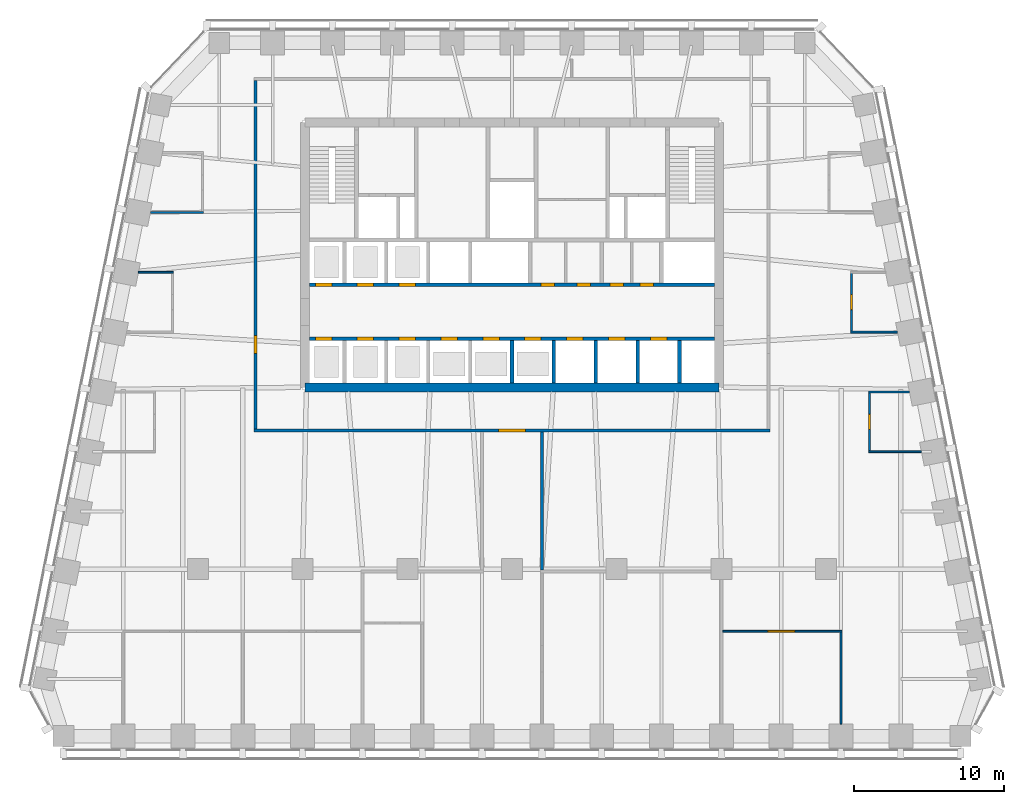
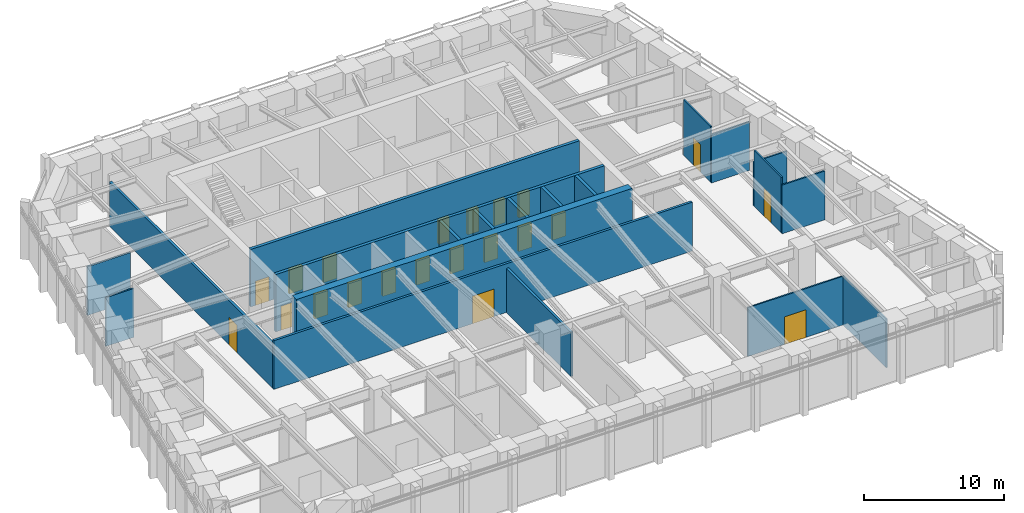
# One storey, part 6 of 11: 21 doors, 20 walls, 21 openings.
"""IFC4 building model written with IfcOpenShell, lengths in metres."""

from ifc_helpers import new_model, si_unit, direction, frame, frame_2d, origin, place, context, subcontext, project, spatial, rectangle, extrude, material, layer, layer_set, type_object, element, fill, save


model = new_model("IFC4")

# Units and contexts
model_context = context("Model", 3, precision=1e-05, world=origin(), true_north=direction((0.0, 1.0)))
body_context = subcontext(model_context, "Body", "Model", "MODEL_VIEW")
ifc_project = project(units=[si_unit("LENGTHUNIT", "METRE"), si_unit("AREAUNIT", "SQUARE_METRE"), si_unit("VOLUMEUNIT", "CUBIC_METRE"), si_unit("PLANEANGLEUNIT", "RADIAN"), si_unit("MASSUNIT", "GRAM", prefix="KILO")], contexts=[model_context])

# Site, building, storey
site_placement = place(None, origin())
site = spatial("IfcSite", under=ifc_project, at=site_placement, CompositionType="ELEMENT")
building_placement = place(site_placement, origin())
building = spatial("IfcBuilding", under=site, at=building_placement, Name="Isbrekke Arena Tower", CompositionType="ELEMENT")
storey_placement = place(building_placement, frame((0.0, 0.0, 173.0)))
storey = spatial("IfcBuildingStorey", under=building, at=storey_placement, Name="L39", CompositionType="ELEMENT", Elevation=173.0)

# Wall
ifc_material_1 = material(Name="Concrete B55 (C55/67)", Category="concrete")
ifc_layer_1 = layer(ifc_material_1, 0.60009765625)
ifc_layer_set_1 = layer_set([ifc_layer_1], Name="CW4 CORE WALL 600")
wall_type_1 = type_object("IfcWallType", Name="CW4 CORE WALL 600", PredefinedType="SHEAR", material=ifc_layer_set_1)
wall_1_placement = place(storey_placement, frame((-13.85009765625, 6.14990234375, 0.0), z_axis=(0.0, 0.0, 1.0), x_axis=(1.0, 0.0, 0.0)))
element("IfcWall", 1, at=wall_1_placement, inside=storey, type_object=wall_type_1, Name="Core wall S L39", PredefinedType="SHEAR", context=body_context, shape_type="SweptSolid", body=[
    extrude(rectangle(XDim=27.7001953125, YDim=0.60009765625, at=frame_2d((13.85009765625, 0.0))), origin(), (0.0, 0.0, 1.0), 5.0),
])

# Wall, openings, doors
ifc_material_2 = material(Name="Concrete B45 (C45/55)", Category="concrete")
ifc_layer_2 = layer(ifc_material_2, 0.25)
ifc_layer_set_2 = layer_set([ifc_layer_2], Name="CW6 SHAFT WALL 250")
wall_type_2 = type_object("IfcWallType", Name="CW6 SHAFT WALL 250", PredefinedType="SHEAR", material=ifc_layer_set_2)
wall_2_placement = place(storey_placement, frame((-13.550048828125, 9.39990234375, 0.0), z_axis=(0.0, 0.0, 1.0), x_axis=(1.0, 0.0, 0.0)))
wall_2 = element("IfcWall", 2, at=wall_2_placement, inside=storey, type_object=wall_type_2, Name="Core wall LS L39", PredefinedType="SHEAR", context=body_context, shape_type="SweptSolid", body=[
    extrude(rectangle(XDim=27.10009765625, YDim=0.25, at=frame_2d((13.550048828125, 0.0))), origin(), (0.0, 0.0, 1.0), 5.0),
])
opening_1_placement = place(wall_2_placement, frame((0.39990234375, 0.0, 0.0)))
opening_1 = element("IfcOpeningElement", 3, at=opening_1_placement, cuts=wall_2, Name="Opening LD1", PredefinedType="OPENING", context=body_context, shape_type="SweptSolid", body=[
    extrude(rectangle(XDim=1.10009765625, YDim=2.10009765625, at=frame_2d((0.550048828125, 1.050048828125))), frame((0.0, 0.139892578125, 0.0), z_axis=(0.0, -1.0, 0.0), x_axis=(1.0, 0.0, 0.0)), (0.0, 0.0, 1.0), 0.27978515625),
])
opening_2_placement = place(wall_2_placement, frame((3.199951171875, 0.0, 0.0)))
opening_2 = element("IfcOpeningElement", 4, at=opening_2_placement, cuts=wall_2, Name="Opening LD1", PredefinedType="OPENING", context=body_context, shape_type="SweptSolid", body=[
    extrude(rectangle(XDim=1.10009765625, YDim=2.10009765625, at=frame_2d((0.550048828125, 1.050048828125))), frame((0.0, 0.139892578125, 0.0), z_axis=(0.0, -1.0, 0.0), x_axis=(1.0, 0.0, 0.0)), (0.0, 0.0, 1.0), 0.27978515625),
])
opening_3_placement = place(wall_2_placement, frame((6.0, 0.0, 0.0)))
opening_3 = element("IfcOpeningElement", 5, at=opening_3_placement, cuts=wall_2, Name="Opening LD1", PredefinedType="OPENING", context=body_context, shape_type="SweptSolid", body=[
    extrude(rectangle(XDim=1.10009765625, YDim=2.10009765625, at=frame_2d((0.550048828125, 1.050048828125))), frame((0.0, 0.139892578125, 0.0), z_axis=(0.0, -1.0, 0.0), x_axis=(1.0, 0.0, 0.0)), (0.0, 0.0, 1.0), 0.27978515625),
])
opening_4_placement = place(wall_2_placement, frame((17.199951171875, 0.0, 0.0)))
opening_4 = element("IfcOpeningElement", 6, at=opening_4_placement, cuts=wall_2, Name="Opening LD1", PredefinedType="OPENING", context=body_context, shape_type="SweptSolid", body=[
    extrude(rectangle(XDim=1.10009765625, YDim=2.10009765625, at=frame_2d((0.550048828125, 1.050048828125))), frame((0.0, 0.139892578125, 0.0), z_axis=(0.0, -1.0, 0.0), x_axis=(1.0, 0.0, 0.0)), (0.0, 0.0, 1.0), 0.27978515625),
])
opening_5_placement = place(wall_2_placement, frame((20.0, 0.0, 0.0)))
opening_5 = element("IfcOpeningElement", 7, at=opening_5_placement, cuts=wall_2, Name="Opening LD1", PredefinedType="OPENING", context=body_context, shape_type="SweptSolid", body=[
    extrude(rectangle(XDim=1.10009765625, YDim=2.10009765625, at=frame_2d((0.550048828125, 1.050048828125))), frame((0.0, 0.139892578125, 0.0), z_axis=(0.0, -1.0, 0.0), x_axis=(1.0, 0.0, 0.0)), (0.0, 0.0, 1.0), 0.27978515625),
])
opening_6_placement = place(wall_2_placement, frame((22.800048828125, 0.0, 0.0)))
opening_6 = element("IfcOpeningElement", 8, at=opening_6_placement, cuts=wall_2, Name="Opening LD1", PredefinedType="OPENING", context=body_context, shape_type="SweptSolid", body=[
    extrude(rectangle(XDim=1.10009765625, YDim=2.10009765625, at=frame_2d((0.550048828125, 1.050048828125))), frame((0.0, 0.139892578125, 0.0), z_axis=(0.0, -1.0, 0.0), x_axis=(1.0, 0.0, 0.0)), (0.0, 0.0, 1.0), 0.27978515625),
])
opening_7_placement = place(wall_2_placement, frame((8.800048828125, 0.0, 0.0)))
opening_7 = element("IfcOpeningElement", 9, at=opening_7_placement, cuts=wall_2, Name="Opening LD1", PredefinedType="OPENING", context=body_context, shape_type="SweptSolid", body=[
    extrude(rectangle(XDim=1.10009765625, YDim=2.10009765625, at=frame_2d((0.550048828125, 1.050048828125))), frame((0.0, 0.139892578125, 0.0), z_axis=(0.0, -1.0, 0.0), x_axis=(1.0, 0.0, 0.0)), (0.0, 0.0, 1.0), 0.27978515625),
])
opening_8_placement = place(wall_2_placement, frame((11.60009765625, 0.0, 0.0)))
opening_8 = element("IfcOpeningElement", 10, at=opening_8_placement, cuts=wall_2, Name="Opening LD1", PredefinedType="OPENING", context=body_context, shape_type="SweptSolid", body=[
    extrude(rectangle(XDim=1.10009765625, YDim=2.10009765625, at=frame_2d((0.550048828125, 1.050048828125))), frame((0.0, 0.139892578125, 0.0), z_axis=(0.0, -1.0, 0.0), x_axis=(1.0, 0.0, 0.0)), (0.0, 0.0, 1.0), 0.27978515625),
])
opening_9_placement = place(wall_2_placement, frame((14.39990234375, 0.0, 0.0)))
opening_9 = element("IfcOpeningElement", 11, at=opening_9_placement, cuts=wall_2, Name="Opening LD1", PredefinedType="OPENING", context=body_context, shape_type="SweptSolid", body=[
    extrude(rectangle(XDim=1.10009765625, YDim=2.10009765625, at=frame_2d((0.550048828125, 1.050048828125))), frame((0.0, 0.139892578125, 0.0), z_axis=(0.0, -1.0, 0.0), x_axis=(1.0, 0.0, 0.0)), (0.0, 0.0, 1.0), 0.27978515625),
])
ifc_material_3 = material(Name="Stainless steel lift landing door", Category="steel")
door_type_1 = type_object("IfcDoorType", Name="LD1 LIFT LANDING DOOR 1100 x 2100", OperationType="SLIDING_TO_LEFT", PredefinedType="DOOR", material=ifc_material_3)
door_1_placement = place(opening_1_placement, origin())
door_1 = element("IfcDoor", 12, at=door_1_placement, inside=storey, type_object=door_type_1, Name="LD1 lift landing door LC L39", OperationType="SLIDING_TO_LEFT", OverallHeight=2.10009765625, OverallWidth=1.10009765625, PredefinedType="DOOR", context=body_context, shape_type="SweptSolid", body=[
    extrude(rectangle(XDim=1.10009765625, YDim=2.10009765625, at=frame_2d((0.550048828125, 1.050048828125))), frame((0.0, 0.124755859375, 0.0), z_axis=(0.0, -1.0, 0.0), x_axis=(1.0, 0.0, 0.0)), (0.0, 0.0, 1.0), 0.24951171875),
])
fill(opening_1, door_1)
door_2_placement = place(opening_2_placement, origin())
door_2 = element("IfcDoor", 13, at=door_2_placement, inside=storey, type_object=door_type_1, Name="LD1 lift landing door LC L39", OperationType="SLIDING_TO_LEFT", OverallHeight=2.10009765625, OverallWidth=1.10009765625, PredefinedType="DOOR", context=body_context, shape_type="SweptSolid", body=[
    extrude(rectangle(XDim=1.10009765625, YDim=2.10009765625, at=frame_2d((0.550048828125, 1.050048828125))), frame((0.0, 0.124755859375, 0.0), z_axis=(0.0, -1.0, 0.0), x_axis=(1.0, 0.0, 0.0)), (0.0, 0.0, 1.0), 0.24951171875),
])
fill(opening_2, door_2)
door_3_placement = place(opening_3_placement, origin())
door_3 = element("IfcDoor", 14, at=door_3_placement, inside=storey, type_object=door_type_1, Name="LD1 lift landing door LC L39", OperationType="SLIDING_TO_LEFT", OverallHeight=2.10009765625, OverallWidth=1.10009765625, PredefinedType="DOOR", context=body_context, shape_type="SweptSolid", body=[
    extrude(rectangle(XDim=1.10009765625, YDim=2.10009765625, at=frame_2d((0.550048828125, 1.050048828125))), frame((0.0, 0.124755859375, 0.0), z_axis=(0.0, -1.0, 0.0), x_axis=(1.0, 0.0, 0.0)), (0.0, 0.0, 1.0), 0.24951171875),
])
fill(opening_3, door_3)
door_4_placement = place(opening_4_placement, origin())
door_4 = element("IfcDoor", 15, at=door_4_placement, inside=storey, type_object=door_type_1, Name="LD1 lift landing door LT L39", OperationType="SLIDING_TO_LEFT", OverallHeight=2.10009765625, OverallWidth=1.10009765625, PredefinedType="DOOR", context=body_context, shape_type="SweptSolid", body=[
    extrude(rectangle(XDim=1.10009765625, YDim=2.10009765625, at=frame_2d((0.550048828125, 1.050048828125))), frame((0.0, 0.124755859375, 0.0), z_axis=(0.0, -1.0, 0.0), x_axis=(1.0, 0.0, 0.0)), (0.0, 0.0, 1.0), 0.24951171875),
])
fill(opening_4, door_4)
door_5_placement = place(opening_5_placement, origin())
door_5 = element("IfcDoor", 16, at=door_5_placement, inside=storey, type_object=door_type_1, Name="LD1 lift landing door LT L39", OperationType="SLIDING_TO_LEFT", OverallHeight=2.10009765625, OverallWidth=1.10009765625, PredefinedType="DOOR", context=body_context, shape_type="SweptSolid", body=[
    extrude(rectangle(XDim=1.10009765625, YDim=2.10009765625, at=frame_2d((0.550048828125, 1.050048828125))), frame((0.0, 0.124755859375, 0.0), z_axis=(0.0, -1.0, 0.0), x_axis=(1.0, 0.0, 0.0)), (0.0, 0.0, 1.0), 0.24951171875),
])
fill(opening_5, door_5)
door_6_placement = place(opening_6_placement, origin())
door_6 = element("IfcDoor", 17, at=door_6_placement, inside=storey, type_object=door_type_1, Name="LD1 lift landing door LT L39", OperationType="SLIDING_TO_LEFT", OverallHeight=2.10009765625, OverallWidth=1.10009765625, PredefinedType="DOOR", context=body_context, shape_type="SweptSolid", body=[
    extrude(rectangle(XDim=1.10009765625, YDim=2.10009765625, at=frame_2d((0.550048828125, 1.050048828125))), frame((0.0, 0.124755859375, 0.0), z_axis=(0.0, -1.0, 0.0), x_axis=(1.0, 0.0, 0.0)), (0.0, 0.0, 1.0), 0.24951171875),
])
fill(opening_6, door_6)
door_7_placement = place(opening_7_placement, origin())
door_7 = element("IfcDoor", 18, at=door_7_placement, inside=storey, type_object=door_type_1, Name="LD1 lift landing door LE L39", OperationType="SLIDING_TO_LEFT", OverallHeight=2.10009765625, OverallWidth=1.10009765625, PredefinedType="DOOR", context=body_context, shape_type="SweptSolid", body=[
    extrude(rectangle(XDim=1.10009765625, YDim=2.10009765625, at=frame_2d((0.550048828125, 1.050048828125))), frame((0.0, 0.124755859375, 0.0), z_axis=(0.0, -1.0, 0.0), x_axis=(1.0, 0.0, 0.0)), (0.0, 0.0, 1.0), 0.24951171875),
])
fill(opening_7, door_7)
door_8_placement = place(opening_8_placement, origin())
door_8 = element("IfcDoor", 19, at=door_8_placement, inside=storey, type_object=door_type_1, Name="LD1 lift landing door LE L39", OperationType="SLIDING_TO_LEFT", OverallHeight=2.10009765625, OverallWidth=1.10009765625, PredefinedType="DOOR", context=body_context, shape_type="SweptSolid", body=[
    extrude(rectangle(XDim=1.10009765625, YDim=2.10009765625, at=frame_2d((0.550048828125, 1.050048828125))), frame((0.0, 0.124755859375, 0.0), z_axis=(0.0, -1.0, 0.0), x_axis=(1.0, 0.0, 0.0)), (0.0, 0.0, 1.0), 0.24951171875),
])
fill(opening_8, door_8)
door_9_placement = place(opening_9_placement, origin())
door_9 = element("IfcDoor", 20, at=door_9_placement, inside=storey, type_object=door_type_1, Name="LD1 lift landing door LE L39", OperationType="SLIDING_TO_LEFT", OverallHeight=2.10009765625, OverallWidth=1.10009765625, PredefinedType="DOOR", context=body_context, shape_type="SweptSolid", body=[
    extrude(rectangle(XDim=1.10009765625, YDim=2.10009765625, at=frame_2d((0.550048828125, 1.050048828125))), frame((0.0, 0.124755859375, 0.0), z_axis=(0.0, -1.0, 0.0), x_axis=(1.0, 0.0, 0.0)), (0.0, 0.0, 1.0), 0.24951171875),
])
fill(opening_9, door_9)

wall_3_placement = place(storey_placement, frame((-13.550048828125, 13.0, 0.0), z_axis=(0.0, 0.0, 1.0), x_axis=(1.0, 0.0, 0.0)))
wall_3 = element("IfcWall", 21, at=wall_3_placement, inside=storey, type_object=wall_type_2, Name="Core wall LN L39", PredefinedType="SHEAR", context=body_context, shape_type="SweptSolid", body=[
    extrude(rectangle(XDim=27.10009765625, YDim=0.25, at=frame_2d((13.550048828125, 0.0))), origin(), (0.0, 0.0, 1.0), 5.0),
])
opening_10_placement = place(wall_3_placement, frame((0.39990234375, 0.0, 0.0)))
opening_10 = element("IfcOpeningElement", 22, at=opening_10_placement, cuts=wall_3, Name="Opening LD1", PredefinedType="OPENING", context=body_context, shape_type="SweptSolid", body=[
    extrude(rectangle(XDim=1.10009765625, YDim=2.10009765625, at=frame_2d((0.550048828125, 1.050048828125))), frame((0.0, 0.139892578125, 0.0), z_axis=(0.0, -1.0, 0.0), x_axis=(1.0, 0.0, 0.0)), (0.0, 0.0, 1.0), 0.27978515625),
])
opening_11_placement = place(wall_3_placement, frame((3.199951171875, 0.0, 0.0)))
opening_11 = element("IfcOpeningElement", 23, at=opening_11_placement, cuts=wall_3, Name="Opening LD1", PredefinedType="OPENING", context=body_context, shape_type="SweptSolid", body=[
    extrude(rectangle(XDim=1.10009765625, YDim=2.10009765625, at=frame_2d((0.550048828125, 1.050048828125))), frame((0.0, 0.139892578125, 0.0), z_axis=(0.0, -1.0, 0.0), x_axis=(1.0, 0.0, 0.0)), (0.0, 0.0, 1.0), 0.27978515625),
])
opening_12_placement = place(wall_3_placement, frame((6.0, 0.0, 0.0)))
opening_12 = element("IfcOpeningElement", 24, at=opening_12_placement, cuts=wall_3, Name="Opening LD1", PredefinedType="OPENING", context=body_context, shape_type="SweptSolid", body=[
    extrude(rectangle(XDim=1.10009765625, YDim=2.10009765625, at=frame_2d((0.550048828125, 1.050048828125))), frame((0.0, 0.139892578125, 0.0), z_axis=(0.0, -1.0, 0.0), x_axis=(1.0, 0.0, 0.0)), (0.0, 0.0, 1.0), 0.27978515625),
])
opening_13_placement = place(wall_3_placement, frame((15.5, 0.0, 0.0)))
opening_13 = element("IfcOpeningElement", 25, at=opening_13_placement, cuts=wall_3, Name="Opening D5", PredefinedType="OPENING", context=body_context, shape_type="SweptSolid", body=[
    extrude(rectangle(XDim=0.89990234375, YDim=2.10009765625, at=frame_2d((0.449951171875, 1.050048828125))), frame((0.0, 0.139892578125, 0.0), z_axis=(0.0, -1.0, 0.0), x_axis=(1.0, 0.0, 0.0)), (0.0, 0.0, 1.0), 0.27978515625),
])
opening_14_placement = place(wall_3_placement, frame((17.89990234375, 0.0, 0.0)))
opening_14 = element("IfcOpeningElement", 26, at=opening_14_placement, cuts=wall_3, Name="Opening D5", PredefinedType="OPENING", context=body_context, shape_type="SweptSolid", body=[
    extrude(rectangle(XDim=0.89990234375, YDim=2.10009765625, at=frame_2d((0.449951171875, 1.050048828125))), frame((0.0, 0.139892578125, 0.0), z_axis=(0.0, -1.0, 0.0), x_axis=(1.0, 0.0, 0.0)), (0.0, 0.0, 1.0), 0.27978515625),
])
opening_15_placement = place(wall_3_placement, frame((20.10009765625, 0.0, 0.0)))
opening_15 = element("IfcOpeningElement", 27, at=opening_15_placement, cuts=wall_3, Name="Opening D5", PredefinedType="OPENING", context=body_context, shape_type="SweptSolid", body=[
    extrude(rectangle(XDim=0.89990234375, YDim=2.10009765625, at=frame_2d((0.449951171875, 1.050048828125))), frame((0.0, 0.139892578125, 0.0), z_axis=(0.0, -1.0, 0.0), x_axis=(1.0, 0.0, 0.0)), (0.0, 0.0, 1.0), 0.27978515625),
])
opening_16_placement = place(wall_3_placement, frame((22.10009765625, 0.0, 0.0)))
opening_16 = element("IfcOpeningElement", 28, at=opening_16_placement, cuts=wall_3, Name="Opening D5", PredefinedType="OPENING", context=body_context, shape_type="SweptSolid", body=[
    extrude(rectangle(XDim=0.89990234375, YDim=2.10009765625, at=frame_2d((0.449951171875, 1.050048828125))), frame((0.0, 0.139892578125, 0.0), z_axis=(0.0, -1.0, 0.0), x_axis=(1.0, 0.0, 0.0)), (0.0, 0.0, 1.0), 0.27978515625),
])
ifc_material_4 = material(Name="Steel fire door", Category="steel")
door_type_2 = type_object("IfcDoorType", Name="D5 SERVICE DOOR 900 x 2100", OperationType="SINGLE_SWING_LEFT", PredefinedType="DOOR", material=ifc_material_4)
door_10_placement = place(opening_13_placement, origin())
door_10 = element("IfcDoor", 29, at=door_10_placement, inside=storey, type_object=door_type_2, Name="D5 mothers' room door L39", OperationType="SINGLE_SWING_LEFT", OverallHeight=2.10009765625, OverallWidth=0.89990234375, PredefinedType="DOOR", context=body_context, shape_type="SweptSolid", body=[
    extrude(rectangle(XDim=0.89990234375, YDim=2.10009765625, at=frame_2d((0.449951171875, 1.050048828125))), frame((0.0, 0.124755859375, 0.0), z_axis=(0.0, -1.0, 0.0), x_axis=(1.0, 0.0, 0.0)), (0.0, 0.0, 1.0), 0.24951171875),
])
fill(opening_13, door_10)
door_11_placement = place(opening_14_placement, origin())
door_11 = element("IfcDoor", 30, at=door_11_placement, inside=storey, type_object=door_type_2, Name="D5 cleaner's store door L39", OperationType="SINGLE_SWING_LEFT", OverallHeight=2.10009765625, OverallWidth=0.89990234375, PredefinedType="DOOR", context=body_context, shape_type="SweptSolid", body=[
    extrude(rectangle(XDim=0.89990234375, YDim=2.10009765625, at=frame_2d((0.449951171875, 1.050048828125))), frame((0.0, 0.124755859375, 0.0), z_axis=(0.0, -1.0, 0.0), x_axis=(1.0, 0.0, 0.0)), (0.0, 0.0, 1.0), 0.24951171875),
])
fill(opening_14, door_11)
door_12_placement = place(opening_15_placement, origin())
door_12 = element("IfcDoor", 31, at=door_12_placement, inside=storey, type_object=door_type_2, Name="D5 communications room door L39", OperationType="SINGLE_SWING_LEFT", OverallHeight=2.10009765625, OverallWidth=0.89990234375, PredefinedType="DOOR", context=body_context, shape_type="SweptSolid", body=[
    extrude(rectangle(XDim=0.89990234375, YDim=2.10009765625, at=frame_2d((0.449951171875, 1.050048828125))), frame((0.0, 0.124755859375, 0.0), z_axis=(0.0, -1.0, 0.0), x_axis=(1.0, 0.0, 0.0)), (0.0, 0.0, 1.0), 0.24951171875),
])
fill(opening_15, door_12)
door_13_placement = place(opening_16_placement, origin())
door_13 = element("IfcDoor", 32, at=door_13_placement, inside=storey, type_object=door_type_2, Name="D5 tenant store door L39", OperationType="SINGLE_SWING_LEFT", OverallHeight=2.10009765625, OverallWidth=0.89990234375, PredefinedType="DOOR", context=body_context, shape_type="SweptSolid", body=[
    extrude(rectangle(XDim=0.89990234375, YDim=2.10009765625, at=frame_2d((0.449951171875, 1.050048828125))), frame((0.0, 0.124755859375, 0.0), z_axis=(0.0, -1.0, 0.0), x_axis=(1.0, 0.0, 0.0)), (0.0, 0.0, 1.0), 0.24951171875),
])
fill(opening_16, door_13)
door_14_placement = place(opening_10_placement, origin())
door_14 = element("IfcDoor", 33, at=door_14_placement, inside=storey, type_object=door_type_1, Name="LD1 lift landing door LC L39", OperationType="SLIDING_TO_LEFT", OverallHeight=2.10009765625, OverallWidth=1.10009765625, PredefinedType="DOOR", context=body_context, shape_type="SweptSolid", body=[
    extrude(rectangle(XDim=1.10009765625, YDim=2.10009765625, at=frame_2d((0.550048828125, 1.050048828125))), frame((0.0, 0.124755859375, 0.0), z_axis=(0.0, -1.0, 0.0), x_axis=(1.0, 0.0, 0.0)), (0.0, 0.0, 1.0), 0.24951171875),
])
fill(opening_10, door_14)
door_15_placement = place(opening_11_placement, origin())
door_15 = element("IfcDoor", 34, at=door_15_placement, inside=storey, type_object=door_type_1, Name="LD1 lift landing door LC L39", OperationType="SLIDING_TO_LEFT", OverallHeight=2.10009765625, OverallWidth=1.10009765625, PredefinedType="DOOR", context=body_context, shape_type="SweptSolid", body=[
    extrude(rectangle(XDim=1.10009765625, YDim=2.10009765625, at=frame_2d((0.550048828125, 1.050048828125))), frame((0.0, 0.124755859375, 0.0), z_axis=(0.0, -1.0, 0.0), x_axis=(1.0, 0.0, 0.0)), (0.0, 0.0, 1.0), 0.24951171875),
])
fill(opening_11, door_15)
door_16_placement = place(opening_12_placement, origin())
door_16 = element("IfcDoor", 35, at=door_16_placement, inside=storey, type_object=door_type_1, Name="LD1 lift landing door LC L39", OperationType="SLIDING_TO_LEFT", OverallHeight=2.10009765625, OverallWidth=1.10009765625, PredefinedType="DOOR", context=body_context, shape_type="SweptSolid", body=[
    extrude(rectangle(XDim=1.10009765625, YDim=2.10009765625, at=frame_2d((0.550048828125, 1.050048828125))), frame((0.0, 0.124755859375, 0.0), z_axis=(0.0, -1.0, 0.0), x_axis=(1.0, 0.0, 0.0)), (0.0, 0.0, 1.0), 0.24951171875),
])
fill(opening_12, door_16)

# Walls
for number, where, z_axis, x_axis, name in (
    (36, (0.0, 6.449951171875, 0.0), (0.0, 0.0, 1.0), (0.0, 1.0, 0.0), "Core wall SS05 L39"),
    (37, (2.800048828125, 6.449951171875, 0.0), (0.0, 0.0, 1.0), (0.0, 1.0, 0.0), "Core wall SS06 L39"),
    (38, (5.60009765625, 6.449951171875, 0.0), (0.0, 0.0, 1.0), (0.0, 1.0, 0.0), "Core wall SS07 L39"),
    (39, (8.39990234375, 6.449951171875, 0.0), (0.0, 0.0, 1.0), (0.0, 1.0, 0.0), "Core wall SS08 L39"),
    (40, (11.199951171875, 6.449951171875, 0.0), (0.0, 0.0, 1.0), (0.0, 1.0, 0.0), "Core wall SS09 L39"),
):
    element("IfcWall", number, at=place(storey_placement, frame(where, z_axis=z_axis, x_axis=x_axis)), inside=storey, type_object=wall_type_2, Name=name, PredefinedType="SHEAR", context=body_context, shape_type="SweptSolid", body=[
        extrude(rectangle(XDim=2.824951171875, YDim=0.25, at=frame_2d((1.41259765625, 0.0))), origin(), (0.0, 0.0, 1.0), 5.0),
    ])
ifc_material_5 = material(Name="Gypsum board partition on steel studs", Category="steel")
ifc_layer_3 = layer(ifc_material_5, 0.14990234375)
ifc_layer_set_3 = layer_set([ifc_layer_3], Name="IW1 PARTITION 150")
wall_type_3 = type_object("IfcWallType", Name="IW1 PARTITION 150", PredefinedType="PARTITIONING", material=ifc_layer_set_3)
wall_4_placement = place(storey_placement, frame((-24.1748046875, 17.840087890625, 0.0), z_axis=(0.0, 0.0, 1.0), x_axis=(1.0, 0.0, 0.0)))
element("IfcWall", 41, at=wall_4_placement, inside=storey, type_object=wall_type_3, Name="IW1 partition 150 L39", PredefinedType="PARTITIONING", context=body_context, shape_type="SweptSolid", body=[
    extrude(rectangle(XDim=3.5498046875, YDim=0.14990234375, at=frame_2d((1.77490234375, 0.0))), origin(), (0.0, 0.0, 1.0), 4.25),
])

# Wall, opening, door
ifc_material_6 = material(Name="Frameless glazed partition, laminated acoustic glass", Category="glass")
ifc_layer_4 = layer(ifc_material_6, 0.1201171875)
ifc_layer_set_4 = layer_set([ifc_layer_4], Name="IW2 GLAZED PARTITION 120")
wall_type_4 = type_object("IfcWallType", Name="IW2 GLAZED PARTITION 120", PredefinedType="PARTITIONING", material=ifc_layer_set_4)
wall_5_placement = place(storey_placement, frame((14.10009765625, -10.159912109375, 0.0), z_axis=(0.0, 0.0, 1.0), x_axis=(1.0, 0.0, 0.0)))
wall_5 = element("IfcWall", 42, at=wall_5_placement, inside=storey, type_object=wall_type_4, Name="IW2 glazed partition 120 L39", PredefinedType="PARTITIONING", context=body_context, shape_type="SweptSolid", body=[
    extrude(rectangle(XDim=7.9599609375, YDim=0.1201171875, at=frame_2d((3.97998046875, 0.0))), origin(), (0.0, 0.0, 1.0), 4.25),
])
opening_17_placement = place(wall_5_placement, frame((3.0, 0.0, 0.0)))
opening_17 = element("IfcOpeningElement", 43, at=opening_17_placement, cuts=wall_5, Name="Opening D13", PredefinedType="OPENING", context=body_context, shape_type="SweptSolid", body=[
    extrude(rectangle(XDim=1.800048828125, YDim=2.39990234375, at=frame_2d((0.89990234375, 1.199951171875))), frame((0.0, 0.074951171875, 0.0), z_axis=(0.0, -1.0, 0.0), x_axis=(1.0, 0.0, 0.0)), (0.0, 0.0, 1.0), 0.14990234375),
])
ifc_material_7 = material(Name="Timber door pair", Category="wood")
door_type_3 = type_object("IfcDoorType", Name="D13 DOUBLE ROOM DOOR 1800 x 2400", OperationType="DOUBLE_DOOR_SINGLE_SWING", PredefinedType="DOOR", material=ifc_material_7)
door_17_placement = place(opening_17_placement, origin())
door_17 = element("IfcDoor", 44, at=door_17_placement, inside=storey, type_object=door_type_3, Name="D13 meeting room door L39", OperationType="DOUBLE_DOOR_SINGLE_SWING", OverallHeight=2.39990234375, OverallWidth=1.800048828125, PredefinedType="DOOR", context=body_context, shape_type="SweptSolid", body=[
    extrude(rectangle(XDim=1.800048828125, YDim=2.39990234375, at=frame_2d((0.89990234375, 1.199951171875))), frame((0.0, 0.059814453125, 0.0), z_axis=(0.0, -1.0, 0.0), x_axis=(1.0, 0.0, 0.0)), (0.0, 0.0, 1.0), 0.11962890625),
])
fill(opening_17, door_17)

# Walls
wall_6_placement = place(storey_placement, frame((23.840087890625, 1.840087890625, 0.0), z_axis=(0.0, 0.0, 1.0), x_axis=(1.0, 0.0, 0.0)))
element("IfcWall", 45, at=wall_6_placement, inside=storey, type_object=wall_type_4, Name="IW2 glazed partition 120 L39", PredefinedType="PARTITIONING", context=body_context, shape_type="SweptSolid", body=[
    extrude(rectangle(XDim=3.53466796875, YDim=0.1201171875, at=frame_2d((1.767333984375, 0.0))), origin(), (0.0, 0.0, 1.0), 4.25),
])
wall_7_placement = place(storey_placement, frame((23.840087890625, 5.840087890625, 0.0), z_axis=(0.0, 0.0, 1.0), x_axis=(1.0, 0.0, 0.0)))
element("IfcWall", 46, at=wall_7_placement, inside=storey, type_object=wall_type_4, Name="IW2 glazed partition 120 L39", PredefinedType="PARTITIONING", context=body_context, shape_type="SweptSolid", body=[
    extrude(rectangle(XDim=2.734619140625, YDim=0.1201171875, at=frame_2d((1.3671875, 0.0))), origin(), (0.0, 0.0, 1.0), 3.842041015625),
])
wall_8_placement = place(storey_placement, frame((22.639892578125, 9.840087890625, 0.0), z_axis=(0.0, 0.0, 1.0), x_axis=(1.0, 0.0, 0.0)))
element("IfcWall", 47, at=wall_8_placement, inside=storey, type_object=wall_type_4, Name="IW2 glazed partition 120 L39", PredefinedType="PARTITIONING", context=body_context, shape_type="SweptSolid", body=[
    extrude(rectangle(XDim=3.135009765625, YDim=0.1201171875, at=frame_2d((1.5673828125, 0.0))), origin(), (0.0, 0.0, 1.0), 4.25),
])
wall_9_placement = place(storey_placement, frame((-24.974853515625, 13.840087890625, 0.0), z_axis=(0.0, 0.0, 1.0), x_axis=(1.0, 0.0, 0.0)))
element("IfcWall", 48, at=wall_9_placement, inside=storey, type_object=wall_type_4, Name="IW2 glazed partition 120 L39", PredefinedType="PARTITIONING", context=body_context, shape_type="SweptSolid", body=[
    extrude(rectangle(XDim=2.3349609375, YDim=0.1201171875, at=frame_2d((1.16748046875, 0.0))), origin(), (0.0, 0.0, 1.0), 4.25),
])
wall_10_placement = place(storey_placement, frame((22.0, -16.375, 0.0), z_axis=(0.0, 0.0, 1.0), x_axis=(0.0, 1.0, 0.0)))
element("IfcWall", 49, at=wall_10_placement, inside=storey, type_object=wall_type_4, Name="IW2 glazed partition 120 L39", PredefinedType="PARTITIONING", context=body_context, shape_type="SweptSolid", body=[
    extrude(rectangle(XDim=6.155029296875, YDim=0.1201171875, at=frame_2d((3.07763671875, 0.0))), origin(), (0.0, 0.0, 1.0), 4.25),
])

# Wall, opening, door
wall_11_placement = place(storey_placement, frame((22.699951171875, 9.89990234375, 0.0), z_axis=(0.0, 0.0, 1.0), x_axis=(0.0, 1.0, 0.0)))
wall_11 = element("IfcWall", 50, at=wall_11_placement, inside=storey, type_object=wall_type_4, Name="IW2 glazed partition 120 L39", PredefinedType="PARTITIONING", context=body_context, shape_type="SweptSolid", body=[
    extrude(rectangle(XDim=3.880126953125, YDim=0.1201171875, at=frame_2d((1.93994140625, 0.0))), origin(), (0.0, 0.0, 1.0), 4.85009765625),
])
opening_18_placement = place(wall_11_placement, frame((1.43994140625, 0.0, 0.0)))
opening_18 = element("IfcOpeningElement", 51, at=opening_18_placement, cuts=wall_11, Name="Opening D11", PredefinedType="OPENING", context=body_context, shape_type="SweptSolid", body=[
    extrude(rectangle(XDim=1.0, YDim=2.39990234375, at=frame_2d((0.5, 1.199951171875))), frame((0.0, 0.074951171875, 0.0), z_axis=(0.0, -1.0, 0.0), x_axis=(1.0, 0.0, 0.0)), (0.0, 0.0, 1.0), 0.14990234375),
])
ifc_material_8 = material(Name="Frameless glazed door", Category="glass")
door_type_4 = type_object("IfcDoorType", Name="D11 GLAZED MEETING ROOM DOOR 1000 x 2400", OperationType="SINGLE_SWING_RIGHT", PredefinedType="DOOR", material=ifc_material_8)
door_18_placement = place(opening_18_placement, origin())
door_18 = element("IfcDoor", 52, at=door_18_placement, inside=storey, type_object=door_type_4, Name="D11 quiet room door L39", OperationType="SINGLE_SWING_RIGHT", OverallHeight=2.39990234375, OverallWidth=1.0, PredefinedType="DOOR", context=body_context, shape_type="SweptSolid", body=[
    extrude(rectangle(XDim=1.0, YDim=2.39990234375, at=frame_2d((0.5, 1.199951171875))), frame((0.0, 0.059814453125, 0.0), z_axis=(0.0, -1.0, 0.0), x_axis=(1.0, 0.0, 0.0)), (0.0, 0.0, 1.0), 0.11962890625),
])
fill(opening_18, door_18)

wall_12_placement = place(storey_placement, frame((23.89990234375, 1.89990234375, 0.0), z_axis=(0.0, 0.0, 1.0), x_axis=(0.0, 1.0, 0.0)))
wall_12 = element("IfcWall", 53, at=wall_12_placement, inside=storey, type_object=wall_type_4, Name="IW2 glazed partition 120 L39", PredefinedType="PARTITIONING", context=body_context, shape_type="SweptSolid", body=[
    extrude(rectangle(XDim=3.880126953125, YDim=0.1201171875, at=frame_2d((1.93994140625, 0.0))), origin(), (0.0, 0.0, 1.0), 4.85009765625),
])
opening_19_placement = place(wall_12_placement, frame((1.43994140625, 0.0, 0.0)))
opening_19 = element("IfcOpeningElement", 54, at=opening_19_placement, cuts=wall_12, Name="Opening D11", PredefinedType="OPENING", context=body_context, shape_type="SweptSolid", body=[
    extrude(rectangle(XDim=1.0, YDim=2.39990234375, at=frame_2d((0.5, 1.199951171875))), frame((0.0, 0.074951171875, 0.0), z_axis=(0.0, -1.0, 0.0), x_axis=(1.0, 0.0, 0.0)), (0.0, 0.0, 1.0), 0.14990234375),
])
door_19_placement = place(opening_19_placement, origin())
door_19 = element("IfcDoor", 55, at=door_19_placement, inside=storey, type_object=door_type_4, Name="D11 quiet room door L39", OperationType="SINGLE_SWING_RIGHT", OverallHeight=2.39990234375, OverallWidth=1.0, PredefinedType="DOOR", context=body_context, shape_type="SweptSolid", body=[
    extrude(rectangle(XDim=1.0, YDim=2.39990234375, at=frame_2d((0.5, 1.199951171875))), frame((0.0, 0.059814453125, 0.0), z_axis=(0.0, -1.0, 0.0), x_axis=(1.0, 0.0, 0.0)), (0.0, 0.0, 1.0), 0.11962890625),
])
fill(opening_19, door_19)

ifc_material_9 = material(Name="Gypsum board fire-cell wall on steel studs, two layers each side", Category="steel")
ifc_layer_5 = layer(ifc_material_9, 0.199951171875)
ifc_layer_set_5 = layer_set([ifc_layer_5], Name="IW3 FIRE-CELL WALL 200")
wall_type_5 = type_object("IfcWallType", Name="IW3 FIRE-CELL WALL 200", PredefinedType="PARTITIONING", material=ifc_layer_set_5)
wall_13_placement = place(storey_placement, frame((-17.25, 3.25, 0.0), z_axis=(0.0, 0.0, 1.0), x_axis=(1.0, 0.0, 0.0)))
wall_13 = element("IfcWall", 56, at=wall_13_placement, inside=storey, type_object=wall_type_5, Name="IW3 fire-cell wall 200 L39", PredefinedType="PARTITIONING", context=body_context, shape_type="SweptSolid", body=[
    extrude(rectangle(XDim=34.5, YDim=0.199951171875, at=frame_2d((17.25, 0.0))), origin(), (0.0, 0.0, 1.0), 4.25),
])
opening_20_placement = place(wall_13_placement, frame((16.35009765625, 0.0, 0.0)))
opening_20 = element("IfcOpeningElement", 57, at=opening_20_placement, cuts=wall_13, Name="Opening D14", PredefinedType="OPENING", context=body_context, shape_type="SweptSolid", body=[
    extrude(rectangle(XDim=1.800048828125, YDim=2.39990234375, at=frame_2d((0.89990234375, 1.199951171875))), frame((0.0, 0.11474609375, 0.0), z_axis=(0.0, -1.0, 0.0), x_axis=(1.0, 0.0, 0.0)), (0.0, 0.0, 1.0), 0.229736328125),
])
ifc_material_10 = material(Name="Timber fire door pair with vision panels", Category="wood")
door_type_5 = type_object("IfcDoorType", Name="D14 DOUBLE SUITE ENTRANCE DOOR 1800 x 2400", OperationType="DOUBLE_DOOR_SINGLE_SWING", PredefinedType="DOOR", material=ifc_material_10)
door_20_placement = place(opening_20_placement, origin())
door_20 = element("IfcDoor", 58, at=door_20_placement, inside=storey, type_object=door_type_5, Name="D14 suite entrance K door L39", OperationType="DOUBLE_DOOR_SINGLE_SWING", OverallHeight=2.39990234375, OverallWidth=1.800048828125, PredefinedType="DOOR", context=body_context, shape_type="SweptSolid", body=[
    extrude(rectangle(XDim=1.800048828125, YDim=2.39990234375, at=frame_2d((0.89990234375, 1.199951171875))), frame((0.0, 0.099609375, 0.0), z_axis=(0.0, -1.0, 0.0), x_axis=(1.0, 0.0, 0.0)), (0.0, 0.0, 1.0), 0.199462890625),
])
fill(opening_20, door_20)

wall_14_placement = place(storey_placement, frame((-17.14990234375, 3.35009765625, 0.0), z_axis=(0.0, 0.0, 1.0), x_axis=(0.0, 1.0, 0.0)))
wall_14 = element("IfcWall", 59, at=wall_14_placement, inside=storey, type_object=wall_type_5, Name="IW3 fire-cell wall 200 L39", PredefinedType="PARTITIONING", context=body_context, shape_type="SweptSolid", body=[
    extrude(rectangle(XDim=23.2998046875, YDim=0.199951171875, at=frame_2d((11.64990234375, 0.0))), origin(), (0.0, 0.0, 1.0), 3.842041015625),
])
opening_21_placement = place(wall_14_placement, frame((5.050048828125, 0.0, 0.0)))
opening_21 = element("IfcOpeningElement", 60, at=opening_21_placement, cuts=wall_14, Name="Opening D12", PredefinedType="OPENING", context=body_context, shape_type="SweptSolid", body=[
    extrude(rectangle(XDim=1.199951171875, YDim=2.39990234375, at=frame_2d((0.60009765625, 1.199951171875))), frame((0.0, 0.11474609375, 0.0), z_axis=(0.0, -1.0, 0.0), x_axis=(1.0, 0.0, 0.0)), (0.0, 0.0, 1.0), 0.229736328125),
])
ifc_material_11 = material(Name="Timber fire door with vision panel", Category="wood")
door_type_6 = type_object("IfcDoorType", Name="D12 SUITE ENTRANCE DOOR 1200 x 2400", OperationType="SINGLE_SWING_LEFT", PredefinedType="DOOR", material=ifc_material_11)
door_21_placement = place(opening_21_placement, origin())
door_21 = element("IfcDoor", 61, at=door_21_placement, inside=storey, type_object=door_type_6, Name="D12 suite entrance W door L39", OperationType="SINGLE_SWING_LEFT", OverallHeight=2.39990234375, OverallWidth=1.199951171875, PredefinedType="DOOR", context=body_context, shape_type="SweptSolid", body=[
    extrude(rectangle(XDim=1.199951171875, YDim=2.39990234375, at=frame_2d((0.60009765625, 1.199951171875))), frame((0.0, 0.099609375, 0.0), z_axis=(0.0, -1.0, 0.0), x_axis=(1.0, 0.0, 0.0)), (0.0, 0.0, 1.0), 0.199462890625),
])
fill(opening_21, door_21)

# Wall
wall_15_placement = place(storey_placement, frame((2.0, -6.06005859375, 0.0), z_axis=(0.0, 0.0, 1.0), x_axis=(0.0, 1.0, 0.0)))
element("IfcWall", 62, at=wall_15_placement, inside=storey, type_object=wall_type_5, Name="IW3 fire-cell wall 200 L39", PredefinedType="PARTITIONING", context=body_context, shape_type="SweptSolid", body=[
    extrude(rectangle(XDim=9.2099609375, YDim=0.199951171875, at=frame_2d((4.60498046875, 0.0))), origin(), (0.0, 0.0, 1.0), 3.842041015625),
])

save(model, "model.ifc")
